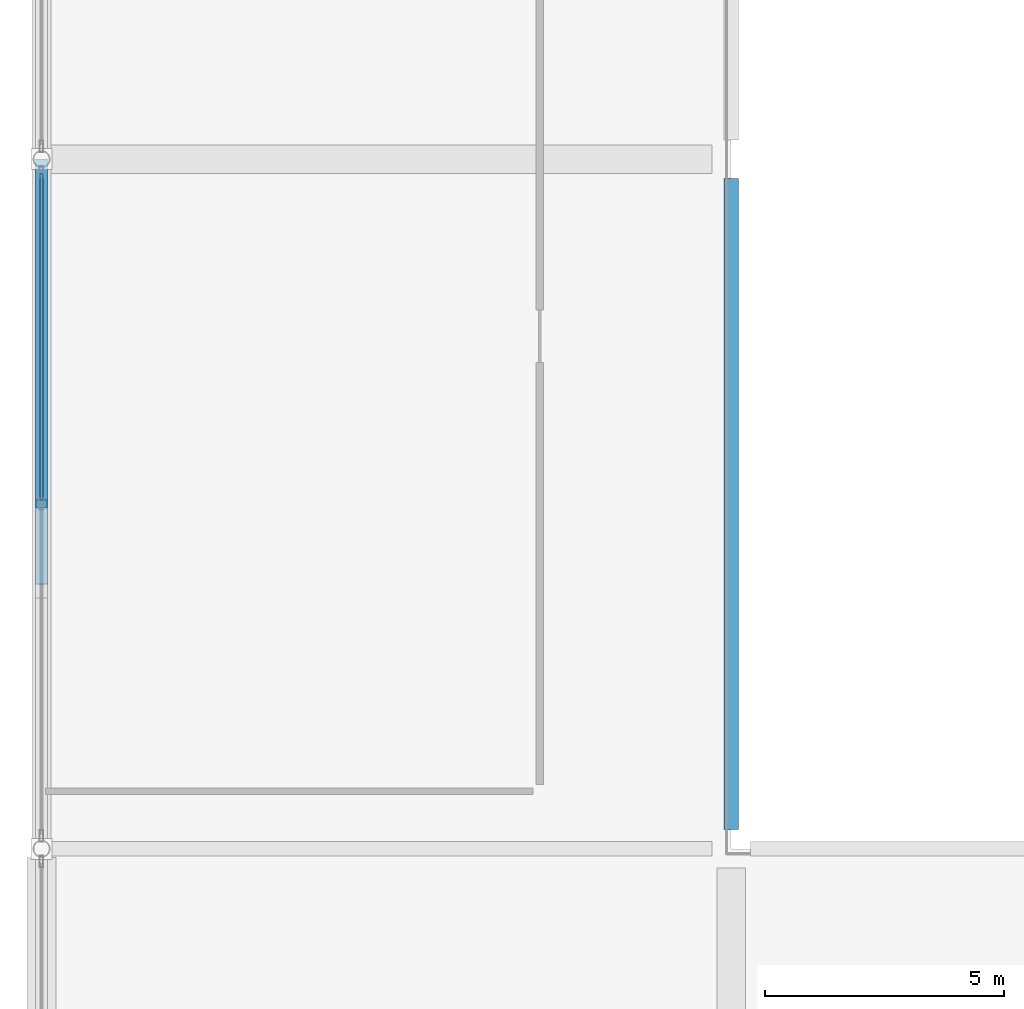
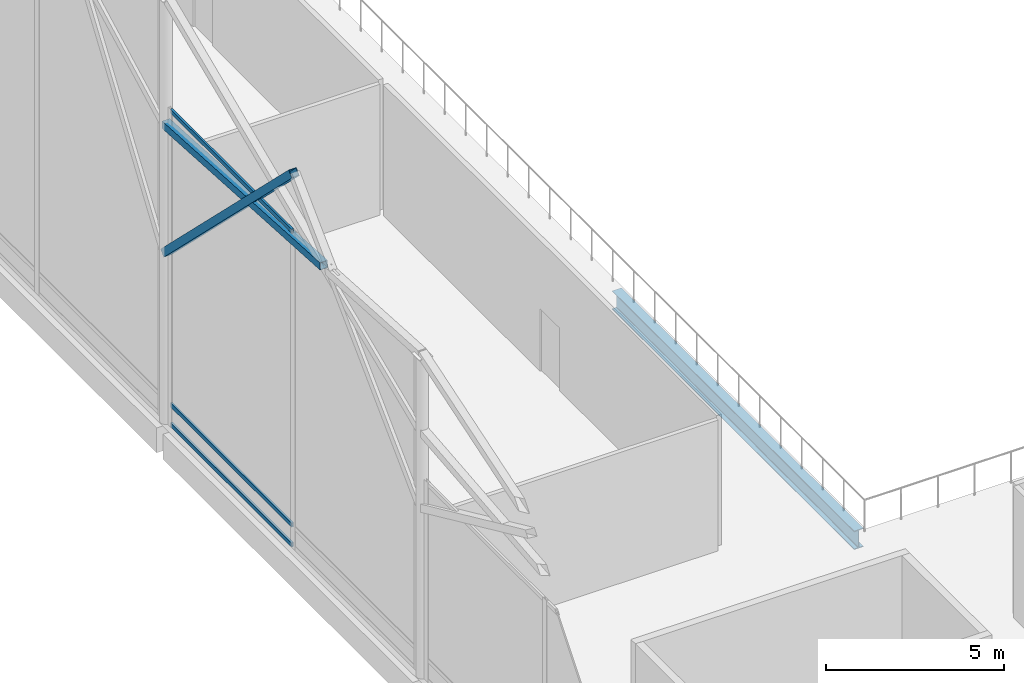
# One storey, part 51 of 220: 5 members, 1 beam, 1 element without a shape of its own.
"""IFC4 building model written with IfcOpenShell, lengths in metres."""

from ifc_helpers import new_model, si_unit, direction, frame, origin, origin_2d, place, context, subcontext, project, spatial, hollow_rectangle, i_section, extrude, material, material_profile, profile_set, type_object, element, aggregate, save


model = new_model("IFC4")

# Units and contexts
model_context = context("Model", 3, precision=1e-05, world=origin(), true_north=direction((0.0, 1.0)))
body_context = subcontext(model_context, "Body", "Model", "MODEL_VIEW")
ifc_project = project(units=[si_unit("LENGTHUNIT", "METRE"), si_unit("AREAUNIT", "SQUARE_METRE"), si_unit("VOLUMEUNIT", "CUBIC_METRE"), si_unit("PLANEANGLEUNIT", "RADIAN"), si_unit("MASSUNIT", "GRAM", prefix="KILO")], contexts=[model_context])

# Site, building, storey
site_placement = place(None, origin())
site = spatial("IfcSite", under=ifc_project, at=site_placement, CompositionType="ELEMENT")
building_placement = place(site_placement, origin())
building = spatial("IfcBuilding", under=site, at=building_placement, Name="Cendralis Lancet Convention Centre", CompositionType="ELEMENT")
storey_placement = place(building_placement, frame((0.0, 0.0, 5.39990234375)))
storey = spatial("IfcBuildingStorey", under=building, at=storey_placement, Name="L01", CompositionType="ELEMENT", Elevation=5.39990234375)

# Curtain wall, members
ifc_material_1 = material(Name="Anodised bronze architectural aluminium", Category="aluminium")
curtain_wall_type = type_object("IfcCurtainWallType", Name="ARC-CW-GB02", PredefinedType="USERDEFINED", material=ifc_material_1)
curtain_wall_placement = place(storey_placement, origin())
curtain_wall = element("IfcCurtainWall", 1, at=curtain_wall_placement, inside=storey, type_object=curtain_wall_type, Name="L01 Curtain Wall CW-GB2 #100", ObjectType="CURTAIN WALL", PredefinedType="USERDEFINED")
ifc_material_profile_1 = material_profile(ifc_material_1, hollow_rectangle(XDim=0.070068359375, YDim=0.139892578125, WallThickness=0.00390625, at=origin_2d()), Name="AL-TRAN 70x140x4.0")
ifc_profile_set_1 = profile_set([ifc_material_profile_1], Name="Anodised bronze architectural aluminium")
member_type_1 = type_object("IfcMemberType", Name="ARC-CW-TR02", PredefinedType="USERDEFINED", material=ifc_profile_set_1)
member_1_placement = place(storey_placement, frame((0.0, 72.080078125, 0.070068359375), z_axis=(0.0, 1.0, 0.0), x_axis=(-1.0, 0.0, 0.0)))
member_1 = element("IfcMember", 2, at=member_1_placement, type_object=member_type_1, Name="Transom CW2-CW-GB2-L01-100-T1BOT", ObjectType="TRANSOM", PredefinedType="USERDEFINED", context=body_context, shape_type="SweptSolid", body=[
    extrude(hollow_rectangle(XDim=0.070068359375, YDim=0.139892578125, WallThickness=0.00390625, at=origin_2d()), origin(), (0.0, 0.0, 1.0), 6.81201171875),
])
member_2_placement = place(storey_placement, frame((0.0, 72.080078125, 0.75), z_axis=(0.0, 1.0, 0.0), x_axis=(-1.0, 0.0, 0.0)))
member_2 = element("IfcMember", 3, at=member_2_placement, type_object=member_type_1, Name="Transom CW2-CW-GB2-L01-100-T1MID", ObjectType="TRANSOM", PredefinedType="USERDEFINED", context=body_context, shape_type="SweptSolid", body=[
    extrude(hollow_rectangle(XDim=0.070068359375, YDim=0.139892578125, WallThickness=0.00390625, at=origin_2d()), origin(), (0.0, 0.0, 1.0), 6.81201171875),
])
member_3_placement = place(storey_placement, frame((0.0, 72.080078125, 10.8310546875), z_axis=(0.0, 1.0, 0.0), x_axis=(-1.0, 0.0, 0.0)))
member_3 = element("IfcMember", 4, at=member_3_placement, type_object=member_type_1, Name="Transom CW2-CW-GB2-L01-100-T1TOP", ObjectType="TRANSOM", PredefinedType="USERDEFINED", context=body_context, shape_type="SweptSolid", body=[
    extrude(hollow_rectangle(XDim=0.070068359375, YDim=0.139892578125, WallThickness=0.00390625, at=origin_2d()), origin(), (0.0, 0.0, 1.0), 6.81201171875),
])
aggregate(curtain_wall, [member_1, member_2, member_3])

# Beam
ifc_material_2 = material(Name="Steel S355", Category="steel")
ifc_material_profile_2 = material_profile(ifc_material_2, i_section(OverallWidth=0.300048828125, OverallDepth=0.639892578125, WebThickness=0.013427734375, FlangeThickness=0.02587890625, FilletRadius=0.027099609375, at=origin_2d()), Name="HEA 650")
ifc_profile_set_2 = profile_set([ifc_material_profile_2], Name="Steel S355")
beam_type = type_object("IfcBeamType", Name="STR-BM-SG09", PredefinedType="BEAM", material=ifc_profile_set_2)
beam_placement = place(storey_placement, frame((14.39990234375, 65.199951171875, -0.599853515625), z_axis=(0.0, 1.0, 0.0), x_axis=(-1.0, 0.0, 0.0)))
element("IfcBeam", 5, at=beam_placement, inside=storey, type_object=beam_type, Name="L01 Beam SG09 #1278", PredefinedType="BEAM", context=body_context, shape_type="SweptSolid", body=[
    extrude(i_section(OverallWidth=0.300048828125, OverallDepth=0.639892578125, WebThickness=0.013427734375, FlangeThickness=0.02587890625, FilletRadius=0.027099609375, at=origin_2d()), origin(), (0.0, 0.0, 1.0), 13.60009765625),
])

# Members
ifc_material_profile_3 = material_profile(ifc_material_2, hollow_rectangle(XDim=0.25, YDim=0.25, WallThickness=0.012451171875, at=origin_2d()), Name="SHS 250x250x12.5")
ifc_profile_set_3 = profile_set([ifc_material_profile_3], Name="Steel S355")
member_type_2 = type_object("IfcMemberType", Name="STR-BR-GB01", PredefinedType="BRACE", material=ifc_profile_set_3)
member_4_placement = place(storey_placement, frame((0.0, 79.199951171875, 5.800048828125), z_axis=(0.0, -0.712944916229, 0.701220041373), x_axis=(1.0, 0.0, 0.0)))
element("IfcMember", 6, at=member_4_placement, inside=storey, type_object=member_type_2, Name="Exhibition Gable Gothic Ogival Tracery Rib GBR1 #007", PredefinedType="BRACE", context=body_context, shape_type="SweptSolid", body=[
    extrude(hollow_rectangle(XDim=0.25, YDim=0.25, WallThickness=0.012451171875, at=origin_2d()), origin(), (0.0, 0.0, 1.0), 10.098876953125),
])
member_5_placement = place(storey_placement, frame((0.0, 79.199951171875, 10.203125), z_axis=(0.0, -0.998270583864, 0.05878640482), x_axis=(1.0, 0.0, 0.0)))
element("IfcMember", 7, at=member_5_placement, inside=storey, type_object=member_type_2, Name="Exhibition Gable Split X-Brace Rib GBR1 #009", PredefinedType="BRACE", context=body_context, shape_type="SweptSolid", body=[
    extrude(hollow_rectangle(XDim=0.25, YDim=0.25, WallThickness=0.012451171875, at=origin_2d()), origin(), (0.0, 0.0, 1.0), 8.8916015625),
])

save(model, "model.ifc")
